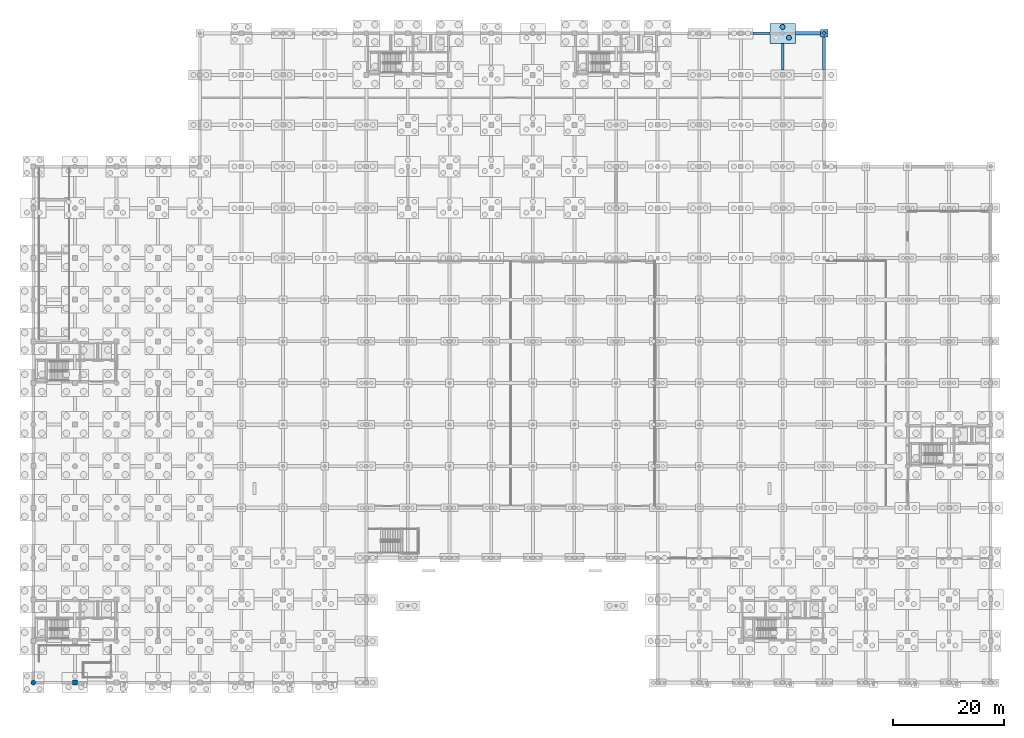
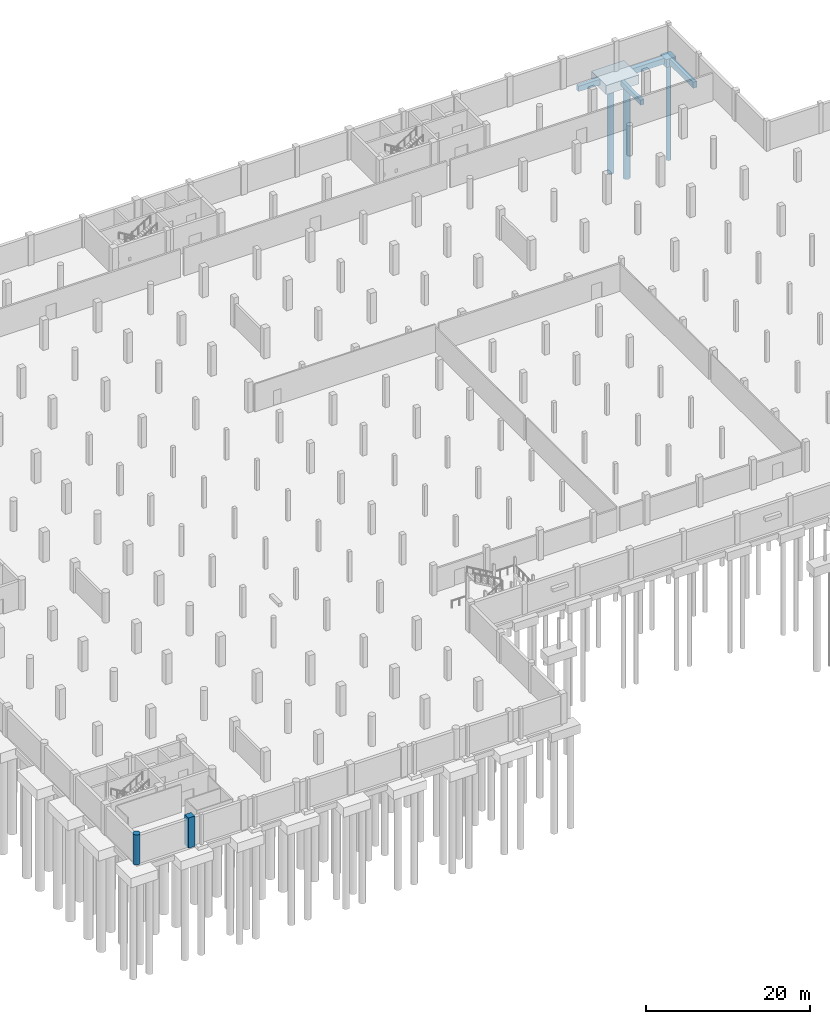
# One storey, part 15 of 42: 6 footings, 3 piles, 2 columns.
"""IFC4 building model written with IfcOpenShell, lengths in metres."""

from ifc_helpers import new_model, si_unit, direction, frame, origin, origin_with_axes, origin_2d, place, context, subcontext, project, spatial, rectangle, circle, extrude, material, material_profile, profile_set, type_object, element, save


model = new_model("IFC4")

# Units and contexts
model_context = context("Model", 3, precision=1e-05, world=origin(), true_north=direction((0.0, 1.0)))
body_context = subcontext(model_context, "Body", "Model", "MODEL_VIEW")
ifc_project = project(units=[si_unit("LENGTHUNIT", "METRE"), si_unit("AREAUNIT", "SQUARE_METRE"), si_unit("VOLUMEUNIT", "CUBIC_METRE"), si_unit("PLANEANGLEUNIT", "RADIAN"), si_unit("MASSUNIT", "GRAM", prefix="KILO")], contexts=[model_context])

# Site, building, storey
site_placement = place(None, origin())
site = spatial("IfcSite", under=ifc_project, at=site_placement, CompositionType="ELEMENT")
building_placement = place(site_placement, origin())
building = spatial("IfcBuilding", under=site, at=building_placement, Name="Dalvernix Boulevard General Hospital", CompositionType="ELEMENT")
storey_placement = place(building_placement, frame((0.0, 0.0, -4.5)))
storey = spatial("IfcBuildingStorey", under=building, at=storey_placement, Name="B1", CompositionType="ELEMENT", Elevation=-4.5)

# Footings
ifc_material_1 = material(Name="Concrete C35/45", Category="concrete")
footing_type_1 = type_object("IfcFootingType", Name="FTG-GB-01", PredefinedType="FOOTING_BEAM", material=ifc_material_1)
footing_1_placement = place(storey_placement, frame((131.199951171875, 117.0, -1.2998046875), z_axis=(0.0, 0.0, 1.0), x_axis=(1.0, 0.0, 0.0)))
element("IfcFooting", 1, at=footing_1_placement, inside=storey, type_object=footing_type_1, Name="Ground beam R:18-19", PredefinedType="FOOTING_BEAM", context=body_context, shape_type="SweptSolid", body=[
    extrude(rectangle(XDim=3.0, YDim=0.5, at=origin_2d()), origin(), (0.0, 0.0, 1.0), 0.800048828125),
])
footing_type_2 = type_object("IfcFootingType", Name="FTG-GB-02", PredefinedType="FOOTING_BEAM", material=ifc_material_1)
footing_2_placement = place(storey_placement, frame((139.550048828125, 117.0, -1.35009765625), z_axis=(0.0, 0.0, 1.0), x_axis=(1.0, 0.0, 0.0)))
element("IfcFooting", 2, at=footing_2_placement, inside=storey, type_object=footing_type_2, Name="Ground beam R:19-20", PredefinedType="FOOTING_BEAM", context=body_context, shape_type="SweptSolid", body=[
    extrude(rectangle(XDim=4.5, YDim=0.60009765625, at=origin_2d()), origin(), (0.0, 0.0, 1.0), 0.85009765625),
])
footing_type_3 = type_object("IfcFootingType", Name="FTG-GB-03", PredefinedType="FOOTING_BEAM", material=ifc_material_1)
footing_3_placement = place(storey_placement, frame((135.0, 112.800048828125, -1.25), z_axis=(0.0, 0.0, 1.0), x_axis=(0.0, 1.0, 0.0)))
element("IfcFooting", 3, at=footing_3_placement, inside=storey, type_object=footing_type_3, Name="Ground beam 19:Q-R", PredefinedType="FOOTING_BEAM", context=body_context, shape_type="SweptSolid", body=[
    extrude(rectangle(XDim=4.800048828125, YDim=0.449951171875, at=origin_2d()), origin(), (0.0, 0.0, 1.0), 0.75),
])
footing_type_4 = type_object("IfcFootingType", Name="FTG-GB-04", PredefinedType="FOOTING_BEAM", material=ifc_material_1)
footing_4_placement = place(storey_placement, frame((142.5, 113.39990234375, -1.39990234375), z_axis=(0.0, 0.0, 1.0), x_axis=(0.0, 1.0, 0.0)))
element("IfcFooting", 4, at=footing_4_placement, inside=storey, type_object=footing_type_4, Name="Ground beam 20:Q-R", PredefinedType="FOOTING_BEAM", context=body_context, shape_type="SweptSolid", body=[
    extrude(rectangle(XDim=5.800048828125, YDim=0.550048828125, at=origin_2d()), origin(), (0.0, 0.0, 1.0), 0.89990234375),
])
ifc_material_2 = material(Name="Concrete C40/50", Category="concrete")
footing_type_5 = type_object("IfcFootingType", Name="FTG-PC-01", PredefinedType="PILE_CAP", material=ifc_material_2)
footing_5_placement = place(storey_placement, frame((142.5, 117.0, -1.7001953125), z_axis=(0.0, 0.0, 1.0), x_axis=(1.0, 0.0, 0.0)))
element("IfcFooting", 5, at=footing_5_placement, inside=storey, type_object=footing_type_5, Name="Pile cap 20R", PredefinedType="PILE_CAP", context=body_context, shape_type="SweptSolid", body=[
    extrude(rectangle(XDim=1.39990234375, YDim=1.39990234375, at=origin_2d()), origin(), (0.0, 0.0, 1.0), 1.199951171875),
])
footing_type_6 = type_object("IfcFootingType", Name="FTG-PC-06", PredefinedType="PILE_CAP", material=ifc_material_2)
footing_6_placement = place(storey_placement, frame((135.0, 117.0, -1.85009765625), z_axis=(0.0, 0.0, 1.0), x_axis=(1.0, 0.0, 0.0)))
element("IfcFooting", 6, at=footing_6_placement, inside=storey, type_object=footing_type_6, Name="Pile cap 19R", PredefinedType="PILE_CAP", context=body_context, shape_type="SweptSolid", body=[
    extrude(rectangle(XDim=4.60009765625, YDim=3.60009765625, at=origin_2d()), origin(), (0.0, 0.0, 1.0), 1.35009765625),
])

# Piles
ifc_material_profile_1 = material_profile(ifc_material_1, circle(Radius=0.300048828125, at=origin_2d()), Name="BORED PILE D600")
ifc_profile_set_1 = profile_set([ifc_material_profile_1], Name="Concrete C35/45")
pile_type_1 = type_object("IfcPileType", Name="PILE-PL-01", PredefinedType="BORED", material=ifc_profile_set_1)
pile_placement = place(storey_placement, frame((142.5, 117.0, -1.60009765625), z_axis=(0.0, 0.0, -1.0), x_axis=(1.0, 0.0, 0.0)))
element("IfcPile", 7, at=pile_placement, inside=storey, type_object=pile_type_1, Name="Bored pile 20R-1", PredefinedType="BORED", context=body_context, shape_type="SweptSolid", body=[
    extrude(circle(Radius=0.300048828125, at=origin_2d()), origin(), (0.0, 0.0, 1.0), 14.39990234375),
])
ifc_material_profile_2 = material_profile(ifc_material_1, circle(Radius=0.449951171875, at=origin_2d()), Name="BORED PILE D900")
ifc_profile_set_2 = profile_set([ifc_material_profile_2], Name="Concrete C35/45")
pile_type_2 = type_object("IfcPileType", Name="PILE-PL-02", PredefinedType="BORED", material=ifc_profile_set_2)
for number, where, z_axis, x_axis, name in (
    (8, (136.14990234375, 116.199951171875, -1.75), (0.0, 0.0, -1.0), (1.0, 0.0, 0.0), "Bored pile 19R-2"),
    (9, (135.0, 118.14990234375, -1.75), (0.0, 0.0, -1.0), (1.0, 0.0, 0.0), "Bored pile 19R-3"),
):
    element("IfcPile", number, at=place(storey_placement, frame(where, z_axis=z_axis, x_axis=x_axis)), inside=storey, type_object=pile_type_2, Name=name, PredefinedType="BORED", context=body_context, shape_type="SweptSolid", body=[
        extrude(circle(Radius=0.449951171875, at=origin_2d()), origin(), (0.0, 0.0, 1.0), 14.25),
    ])

# Columns
ifc_material_profile_3 = material_profile(ifc_material_2, rectangle(XDim=0.89990234375, YDim=0.89990234375, at=origin_2d()), Name="RC 900x900")
ifc_profile_set_3 = profile_set([ifc_material_profile_3], Name="Concrete C40/50")
column_type_1 = type_object("IfcColumnType", Name="COL-C-01-E", PredefinedType="COLUMN", material=ifc_profile_set_3)
column_1_placement = place(storey_placement, frame((7.5, 0.0, 0.0), z_axis=(0.0, 0.0, 1.0), x_axis=(1.0, 0.0, 0.0)))
element("IfcColumn", 10, at=column_1_placement, inside=storey, type_object=column_type_1, Name="B1 column 2A", PredefinedType="COLUMN", context=body_context, shape_type="SweptSolid", body=[
    extrude(rectangle(XDim=0.89990234375, YDim=0.89990234375, at=origin_2d()), origin(), (0.0, 0.0, 1.0), 4.5),
])
ifc_material_profile_4 = material_profile(ifc_material_2, circle(Radius=0.449951171875, at=origin_2d()), Name="RC D900")
ifc_profile_set_4 = profile_set([ifc_material_profile_4], Name="Concrete C40/50")
column_type_2 = type_object("IfcColumnType", Name="COL-C-13-E", PredefinedType="COLUMN", material=ifc_profile_set_4)
column_2_placement = place(storey_placement, origin_with_axes())
element("IfcColumn", 11, at=column_2_placement, inside=storey, type_object=column_type_2, Name="B1 column 1A", PredefinedType="COLUMN", context=body_context, shape_type="SweptSolid", body=[
    extrude(circle(Radius=0.449951171875, at=origin_2d()), origin(), (0.0, 0.0, 1.0), 4.5),
])

save(model, "model.ifc")
